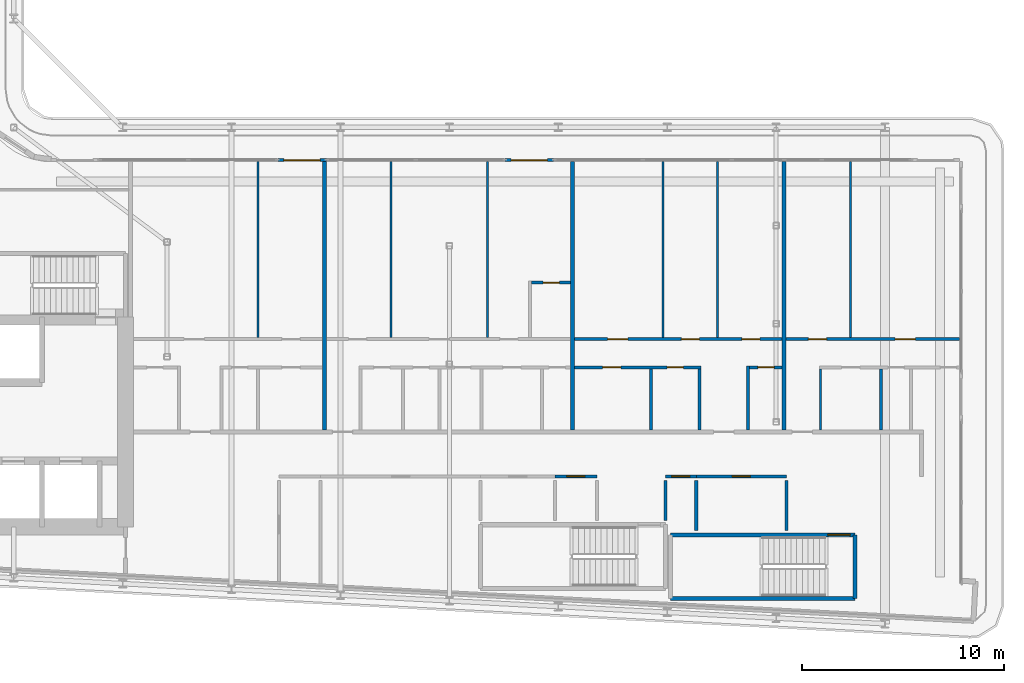
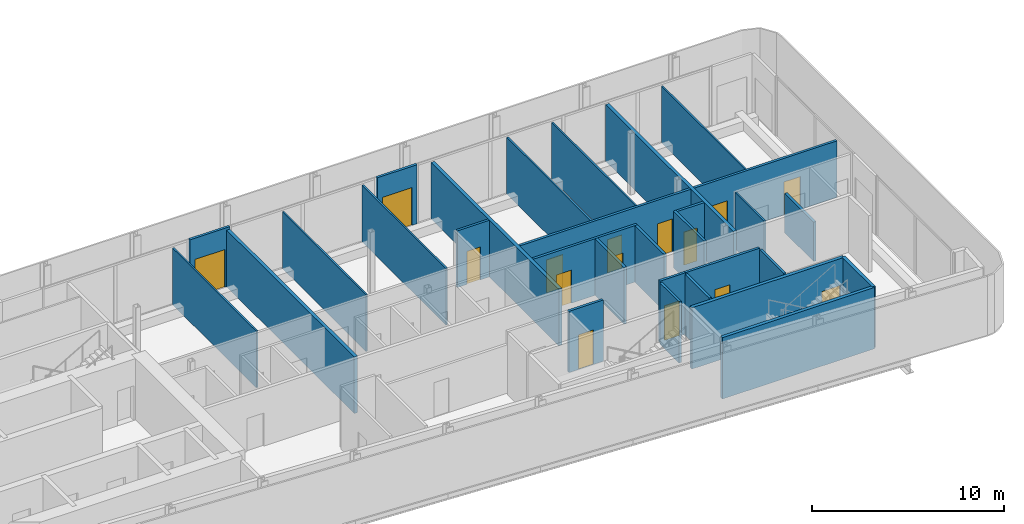
# One storey, part 17 of 29: 30 walls, 15 doors, 15 openings.
"""IFC4 building model written with IfcOpenShell, lengths in metres."""

from ifc_helpers import new_model, si_unit, direction, frame, frame_2d, origin, place, context, subcontext, project, spatial, rectangle, extrude, source, transform, mapped, material, layer, layer_set, type_object, element, fill, save


model = new_model("IFC4")

# Units and contexts
model_context = context("Model", 3, precision=1e-05, world=origin(), true_north=direction((0.0, 1.0)))
body_context = subcontext(model_context, "Body", "Model", "MODEL_VIEW")
ifc_project = project(units=[si_unit("LENGTHUNIT", "METRE"), si_unit("AREAUNIT", "SQUARE_METRE"), si_unit("VOLUMEUNIT", "CUBIC_METRE"), si_unit("PLANEANGLEUNIT", "RADIAN"), si_unit("MASSUNIT", "GRAM", prefix="KILO")], contexts=[model_context])

# Site, building, storey
site_placement = place(None, origin())
site = spatial("IfcSite", under=ifc_project, at=site_placement, CompositionType="ELEMENT")
building_placement = place(site_placement, origin())
building = spatial("IfcBuilding", under=site, at=building_placement, Name="Kheshtan School and Residences Tower", CompositionType="ELEMENT")
storey_placement = place(building_placement, frame((0.0, 0.0, 172.10009765625)))
storey = spatial("IfcBuildingStorey", under=building, at=storey_placement, Name="L40", CompositionType="ELEMENT", Elevation=172.10009765625)

# Wall, opening, door
ifc_material_1 = material(Name="Aluminium frame wall with insulated infill", Category="aluminium")
ifc_layer_1 = layer(ifc_material_1, 0.14990234375)
ifc_layer_set_1 = layer_set([ifc_layer_1], Name="Glazing frame wall 150")
wall_type_1 = type_object("IfcWallType", Name="Glazing frame wall 150", PredefinedType="SOLIDWALL", material=ifc_layer_set_1)
wall_1_placement = place(storey_placement, frame((60.697021484375, 43.97509765625, 0.0), z_axis=(0.0, 0.0, 1.0), x_axis=(1.0, 0.0, 0.0)))
wall_1 = element("IfcWall", 1, at=wall_1_placement, inside=storey, type_object=wall_type_1, Name="Balcony door wall L40 12.2", PredefinedType="SOLIDWALL", context=body_context, shape_type="SweptSolid", body=[
    extrude(rectangle(XDim=2.39990234375, YDim=0.14990234375, at=frame_2d((1.199951171875, 0.0))), origin(), (0.0, 0.0, 1.0), 3.75),
])
opening_1_placement = place(wall_1_placement, frame((0.300048828125, 0.0, 0.0)))
opening_1 = element("IfcOpeningElement", 2, at=opening_1_placement, cuts=wall_1, Name="Opening BD", PredefinedType="OPENING", context=body_context, shape_type="SweptSolid", body=[
    extrude(rectangle(XDim=1.800048828125, YDim=2.39990234375, at=frame_2d((0.89990234375, 1.199951171875))), frame((0.0, 0.0849609375, 0.0), z_axis=(0.0, -1.0, 0.0), x_axis=(1.0, 0.0, 0.0)), (0.0, 0.0, 1.0), 0.169921875),
])
ifc_material_2 = material(Name="Clear low-e glass in thermally broken aluminium frame", Category="aluminium")
door_type_1 = type_object("IfcDoorType", Name="Balcony sliding door", OperationType="SLIDING_TO_LEFT", PredefinedType="DOOR", material=ifc_material_2)
shared_shape_1 = source(origin(), body_context, "Body", "SweptSolid", [
    extrude(rectangle(XDim=1.800048828125, YDim=2.39990234375, at=frame_2d((0.89990234375, 1.199951171875))), frame((0.0, 0.02490234375, 0.0), z_axis=(0.0, -1.0, 0.0), x_axis=(1.0, 0.0, 0.0)), (0.0, 0.0, 1.0), 0.050048828125),
])
door_1_placement = place(opening_1_placement, origin())
door_1 = element("IfcDoor", 3, at=door_1_placement, inside=storey, type_object=door_type_1, Name="Balcony door L40 12.2", OperationType="SLIDING_TO_LEFT", OverallHeight=2.39990234375, OverallWidth=1.800048828125, PredefinedType="DOOR", context=body_context, shape_type="MappedRepresentation", body=[
    mapped(shared_shape_1, transform((0.0, 0.0, 0.0), x_axis=(1.0, 0.0, 0.0), y_axis=(0.0, 1.0, 0.0), z_axis=(0.0, 0.0, 1.0), scale=1.0)),
])
fill(opening_1, door_1)

wall_2_placement = place(storey_placement, frame((71.965087890625, 43.97509765625, 0.0), z_axis=(0.0, 0.0, 1.0), x_axis=(1.0, 0.0, 0.0)))
wall_2 = element("IfcWall", 4, at=wall_2_placement, inside=storey, type_object=wall_type_1, Name="Balcony door wall L40 12.3", PredefinedType="SOLIDWALL", context=body_context, shape_type="SweptSolid", body=[
    extrude(rectangle(XDim=2.39990234375, YDim=0.14990234375, at=frame_2d((1.199951171875, 0.0))), origin(), (0.0, 0.0, 1.0), 3.75),
])
opening_2_placement = place(wall_2_placement, frame((0.300048828125, 0.0, 0.0)))
opening_2 = element("IfcOpeningElement", 5, at=opening_2_placement, cuts=wall_2, Name="Opening BD", PredefinedType="OPENING", context=body_context, shape_type="SweptSolid", body=[
    extrude(rectangle(XDim=1.800048828125, YDim=2.39990234375, at=frame_2d((0.89990234375, 1.199951171875))), frame((0.0, 0.0849609375, 0.0), z_axis=(0.0, -1.0, 0.0), x_axis=(1.0, 0.0, 0.0)), (0.0, 0.0, 1.0), 0.169921875),
])
door_2_placement = place(opening_2_placement, origin())
door_2 = element("IfcDoor", 6, at=door_2_placement, inside=storey, type_object=door_type_1, Name="Balcony door L40 12.3", OperationType="SLIDING_TO_LEFT", OverallHeight=2.39990234375, OverallWidth=1.800048828125, PredefinedType="DOOR", context=body_context, shape_type="MappedRepresentation", body=[
    mapped(shared_shape_1, transform((0.0, 0.0, 0.0), x_axis=(1.0, 0.0, 0.0), y_axis=(0.0, 1.0, 0.0), z_axis=(0.0, 0.0, 1.0), scale=1.0)),
])
fill(opening_2, door_2)

# Walls
ifc_material_3 = material(Name="Gypsum board on steel studs", Category="steel")
ifc_layer_2 = layer(ifc_material_3, 0.10009765625)
ifc_layer_set_2 = layer_set([ifc_layer_2], Name="Gypsum partition 100")
wall_type_2 = type_object("IfcWallType", Name="Gypsum partition 100", PredefinedType="PARTITIONING", material=ifc_layer_set_2)
for number, where, z_axis, x_axis, name in (
    (7, (59.699951171875, 35.175048828125, 0.0), (0.0, 0.0, 1.0), (0.0, 1.0, 0.0), "Partition L40-044"),
    (8, (66.300048828125, 35.175048828125, 0.0), (0.0, 0.0, 1.0), (0.0, 1.0, 0.0), "Partition L40-049"),
    (9, (71.10009765625, 35.175048828125, 0.0), (0.0, 0.0, 1.0), (0.0, 1.0, 0.0), "Partition L40-053"),
    (10, (79.800048828125, 35.175048828125, 0.0), (0.0, 0.0, 1.0), (0.0, 1.0, 0.0), "Partition L40-061"),
    (11, (82.5, 35.175048828125, 0.0), (0.0, 0.0, 1.0), (0.0, 1.0, 0.0), "Partition L40-063"),
):
    element("IfcWall", number, at=place(storey_placement, frame(where, z_axis=z_axis, x_axis=x_axis)), inside=storey, type_object=wall_type_2, Name=name, PredefinedType="PARTITIONING", context=body_context, shape_type="SweptSolid", body=[
        extrude(rectangle(XDim=8.724853515625, YDim=0.10009765625, at=frame_2d((4.3623046875, 0.0))), origin(), (0.0, 0.0, 1.0), 3.599853515625),
    ])
wall_3_placement = place(storey_placement, frame((87.60009765625, 30.60009765625, 0.0), z_axis=(0.0, 0.0, 1.0), x_axis=(0.0, 1.0, 0.0)))
element("IfcWall", 12, at=wall_3_placement, inside=storey, type_object=wall_type_2, Name="Partition L40-069", PredefinedType="PARTITIONING", context=body_context, shape_type="SweptSolid", body=[
    extrude(rectangle(XDim=3.02490234375, YDim=0.10009765625, at=frame_2d((1.512451171875, 0.0))), origin(), (0.0, 0.0, 1.0), 3.599853515625),
])
wall_4_placement = place(storey_placement, frame((89.10009765625, 35.175048828125, 0.0), z_axis=(0.0, 0.0, 1.0), x_axis=(0.0, 1.0, 0.0)))
element("IfcWall", 13, at=wall_4_placement, inside=storey, type_object=wall_type_2, Name="Partition L40-070", PredefinedType="PARTITIONING", context=body_context, shape_type="SweptSolid", body=[
    extrude(rectangle(XDim=8.724853515625, YDim=0.10009765625, at=frame_2d((4.3623046875, 0.0))), origin(), (0.0, 0.0, 1.0), 3.599853515625),
])

# Wall, opening, door
ifc_material_4 = material(Name="Fire-board shaft wall system")
ifc_layer_3 = layer(ifc_material_4, 0.14990234375)
ifc_layer_set_3 = layer_set([ifc_layer_3], Name="Service room wall 150")
wall_type_3 = type_object("IfcWallType", Name="Service room wall 150", PredefinedType="PARTITIONING", material=ifc_layer_set_3)
wall_5_placement = place(storey_placement, frame((74.43603515625, 28.300048828125, 0.0), z_axis=(0.0, 0.0, 1.0), x_axis=(1.0, 0.0, 0.0)))
wall_5 = element("IfcWall", 14, at=wall_5_placement, inside=storey, type_object=wall_type_3, Name="Service room wall", PredefinedType="PARTITIONING", context=body_context, shape_type="SweptSolid", body=[
    extrude(rectangle(XDim=2.073974609375, YDim=0.14990234375, at=frame_2d((1.037109375, 0.0))), origin(), (0.0, 0.0, 1.0), 3.89990234375),
])
opening_3_placement = place(wall_5_placement, frame((0.5869140625, 0.0, 0.0)))
opening_3 = element("IfcOpeningElement", 15, at=opening_3_placement, cuts=wall_5, Name="Opening SR90", PredefinedType="OPENING", context=body_context, shape_type="SweptSolid", body=[
    extrude(rectangle(XDim=0.89990234375, YDim=2.199951171875, at=frame_2d((0.449951171875, 1.10009765625))), frame((0.0, 0.0849609375, 0.0), z_axis=(0.0, -1.0, 0.0), x_axis=(1.0, 0.0, 0.0)), (0.0, 0.0, 1.0), 0.169921875),
])
ifc_material_5 = material(Name="Steel door leaf, galvanised", Category="steel")
door_type_2 = type_object("IfcDoorType", Name="Service room door 900 steel 90 min", OperationType="SINGLE_SWING_LEFT", PredefinedType="DOOR", material=ifc_material_5)
shared_shape_2 = source(origin(), body_context, "Body", "SweptSolid", [
    extrude(rectangle(XDim=0.89990234375, YDim=2.199951171875, at=frame_2d((0.449951171875, 1.10009765625))), frame((0.0, 0.02490234375, 0.0), z_axis=(0.0, -1.0, 0.0), x_axis=(1.0, 0.0, 0.0)), (0.0, 0.0, 1.0), 0.050048828125),
])
door_3_placement = place(opening_3_placement, origin())
door_3 = element("IfcDoor", 16, at=door_3_placement, inside=storey, type_object=door_type_2, Name="Service room door", OperationType="SINGLE_SWING_LEFT", OverallHeight=2.199951171875, OverallWidth=0.89990234375, PredefinedType="DOOR", context=body_context, shape_type="MappedRepresentation", body=[
    mapped(shared_shape_2, transform((0.0, 0.0, 0.0), x_axis=(1.0, 0.0, 0.0), y_axis=(0.0, 1.0, 0.0), z_axis=(0.0, 0.0, 1.0), scale=1.0)),
])
fill(opening_3, door_3)

wall_6_placement = place(storey_placement, frame((79.909912109375, 28.300048828125, 0.0), z_axis=(0.0, 0.0, 1.0), x_axis=(1.0, 0.0, 0.0)))
wall_6 = element("IfcWall", 17, at=wall_6_placement, inside=storey, type_object=wall_type_3, Name="Service room wall", PredefinedType="PARTITIONING", context=body_context, shape_type="SweptSolid", body=[
    extrude(rectangle(XDim=1.531005859375, YDim=0.14990234375, at=frame_2d((0.765625, 0.0))), origin(), (0.0, 0.0, 1.0), 3.89990234375),
])
opening_4_placement = place(wall_6_placement, frame((0.31591796875, 0.0, 0.0)))
opening_4 = element("IfcOpeningElement", 18, at=opening_4_placement, cuts=wall_6, Name="Opening SR90", PredefinedType="OPENING", context=body_context, shape_type="SweptSolid", body=[
    extrude(rectangle(XDim=0.89990234375, YDim=2.199951171875, at=frame_2d((0.449951171875, 1.10009765625))), frame((0.0, 0.0849609375, 0.0), z_axis=(0.0, -1.0, 0.0), x_axis=(1.0, 0.0, 0.0)), (0.0, 0.0, 1.0), 0.169921875),
])
door_4_placement = place(opening_4_placement, origin())
door_4 = element("IfcDoor", 19, at=door_4_placement, inside=storey, type_object=door_type_2, Name="Service room door", OperationType="SINGLE_SWING_RIGHT", OverallHeight=2.199951171875, OverallWidth=0.89990234375, PredefinedType="DOOR", context=body_context, shape_type="MappedRepresentation", body=[
    mapped(shared_shape_2, transform((0.0, 0.0, 0.0), x_axis=(1.0, 0.0, 0.0), y_axis=(0.0, 1.0, 0.0), z_axis=(0.0, 0.0, 1.0), scale=1.0)),
])
fill(opening_4, door_4)

# Walls
wall_7_placement = place(storey_placement, frame((79.909912109375, 26.1201171875, 0.0), z_axis=(0.0, 0.0, 1.0), x_axis=(0.0, 1.0, 0.0)))
element("IfcWall", 20, at=wall_7_placement, inside=storey, type_object=wall_type_3, Name="Service room wall", PredefinedType="PARTITIONING", context=body_context, shape_type="SweptSolid", body=[
    extrude(rectangle(XDim=1.98486328125, YDim=0.14990234375, at=frame_2d((0.992431640625, 0.0))), origin(), (0.0, 0.0, 1.0), 3.89990234375),
])
wall_8_placement = place(storey_placement, frame((81.44091796875, 25.6201171875, 0.0), z_axis=(0.0, 0.0, 1.0), x_axis=(0.0, 1.0, 0.0)))
element("IfcWall", 21, at=wall_8_placement, inside=storey, type_object=wall_type_3, Name="Service room wall", PredefinedType="PARTITIONING", context=body_context, shape_type="SweptSolid", body=[
    extrude(rectangle(XDim=2.48486328125, YDim=0.14990234375, at=frame_2d((1.242431640625, 0.0))), origin(), (0.0, 0.0, 1.0), 3.89990234375),
])

# Wall, opening, door
wall_9_placement = place(storey_placement, frame((81.44091796875, 28.300048828125, 0.0), z_axis=(0.0, 0.0, 1.0), x_axis=(1.0, 0.0, 0.0)))
wall_9 = element("IfcWall", 22, at=wall_9_placement, inside=storey, type_object=wall_type_3, Name="Service room wall", PredefinedType="PARTITIONING", context=body_context, shape_type="SweptSolid", body=[
    extrude(rectangle(XDim=4.47900390625, YDim=0.14990234375, at=frame_2d((2.239501953125, 0.0))), origin(), (0.0, 0.0, 1.0), 3.89990234375),
])
opening_5_placement = place(wall_9_placement, frame((1.7890625, 0.0, 0.0)))
opening_5 = element("IfcOpeningElement", 23, at=opening_5_placement, cuts=wall_9, Name="Opening SR90", PredefinedType="OPENING", context=body_context, shape_type="SweptSolid", body=[
    extrude(rectangle(XDim=0.89990234375, YDim=2.199951171875, at=frame_2d((0.449951171875, 1.10009765625))), frame((0.0, 0.0849609375, 0.0), z_axis=(0.0, -1.0, 0.0), x_axis=(1.0, 0.0, 0.0)), (0.0, 0.0, 1.0), 0.169921875),
])
door_5_placement = place(opening_5_placement, origin())
door_5 = element("IfcDoor", 24, at=door_5_placement, inside=storey, type_object=door_type_2, Name="Service room door", OperationType="SINGLE_SWING_LEFT", OverallHeight=2.199951171875, OverallWidth=0.89990234375, PredefinedType="DOOR", context=body_context, shape_type="MappedRepresentation", body=[
    mapped(shared_shape_2, transform((0.0, 0.0, 0.0), x_axis=(1.0, 0.0, 0.0), y_axis=(0.0, 1.0, 0.0), z_axis=(0.0, 0.0, 1.0), scale=1.0)),
])
fill(opening_5, door_5)

# Walls
wall_10_placement = place(storey_placement, frame((85.919921875, 25.6201171875, 0.0), z_axis=(0.0, 0.0, 1.0), x_axis=(0.0, 1.0, 0.0)))
element("IfcWall", 25, at=wall_10_placement, inside=storey, type_object=wall_type_3, Name="Service room wall", PredefinedType="PARTITIONING", context=body_context, shape_type="SweptSolid", body=[
    extrude(rectangle(XDim=2.48486328125, YDim=0.14990234375, at=frame_2d((1.242431640625, 0.0))), origin(), (0.0, 0.0, 1.0), 3.89990234375),
])
ifc_material_6 = material(Name="Concrete C40/50", Category="concrete")
ifc_layer_4 = layer(ifc_material_6, 0.199951171875)
ifc_layer_set_4 = layer_set([ifc_layer_4], Name="Stair enclosure wall 200 Concrete C40/50")
wall_type_4 = type_object("IfcWallType", Name="Stair enclosure wall 200 Concrete C40/50", PredefinedType="SHEAR", material=ifc_layer_set_4)
wall_11_placement = place(storey_placement, frame((80.159912109375, 22.25, 0.0), z_axis=(0.0, 0.0, 1.0), x_axis=(1.0, 0.0, 0.0)))
element("IfcWall", 26, at=wall_11_placement, inside=storey, type_object=wall_type_4, Name="Stair enclosure wall ST4", PredefinedType="SHEAR", context=body_context, shape_type="SweptSolid", body=[
    extrude(rectangle(XDim=9.16015625, YDim=0.199951171875, at=frame_2d((4.580078125, 0.0))), origin(), (0.0, 0.0, 1.0), 3.89990234375),
])

# Wall, opening, door
wall_12_placement = place(storey_placement, frame((80.159912109375, 25.39990234375, 0.0), z_axis=(0.0, 0.0, 1.0), x_axis=(1.0, 0.0, 0.0)))
wall_12 = element("IfcWall", 27, at=wall_12_placement, inside=storey, type_object=wall_type_4, Name="Stair enclosure wall ST4", PredefinedType="SHEAR", context=body_context, shape_type="SweptSolid", body=[
    extrude(rectangle(XDim=9.16015625, YDim=0.199951171875, at=frame_2d((4.580078125, 0.0))), origin(), (0.0, 0.0, 1.0), 3.89990234375),
])
opening_6_placement = place(wall_12_placement, frame((7.81005859375, 0.0, 0.0)))
opening_6 = element("IfcOpeningElement", 28, at=opening_6_placement, cuts=wall_12, Name="Opening ST4D", PredefinedType="OPENING", context=body_context, shape_type="SweptSolid", body=[
    extrude(rectangle(XDim=1.10009765625, YDim=2.199951171875, at=frame_2d((0.550048828125, 1.10009765625))), frame((0.0, 0.10986328125, 0.0), z_axis=(0.0, -1.0, 0.0), x_axis=(1.0, 0.0, 0.0)), (0.0, 0.0, 1.0), 0.219970703125),
])
door_type_3 = type_object("IfcDoorType", Name="Stair door 1100 steel 90 min", OperationType="SINGLE_SWING_LEFT", PredefinedType="DOOR", material=ifc_material_5)
shared_shape_3 = source(origin(), body_context, "Body", "SweptSolid", [
    extrude(rectangle(XDim=1.10009765625, YDim=2.199951171875, at=frame_2d((0.550048828125, 1.10009765625))), frame((0.0, 0.02490234375, 0.0), z_axis=(0.0, -1.0, 0.0), x_axis=(1.0, 0.0, 0.0)), (0.0, 0.0, 1.0), 0.050048828125),
])
door_6_placement = place(opening_6_placement, origin())
door_6 = element("IfcDoor", 29, at=door_6_placement, inside=storey, type_object=door_type_3, Name="Stair ST4 door", OperationType="SINGLE_SWING_LEFT", OverallHeight=2.199951171875, OverallWidth=1.10009765625, PredefinedType="DOOR", context=body_context, shape_type="MappedRepresentation", body=[
    mapped(shared_shape_3, transform((0.0, 0.0, 0.0), x_axis=(1.0, 0.0, 0.0), y_axis=(0.0, 1.0, 0.0), z_axis=(0.0, 0.0, 1.0), scale=1.0)),
])
fill(opening_6, door_6)

# Walls
wall_13_placement = place(storey_placement, frame((89.320068359375, 22.25, 0.0), z_axis=(0.0, 0.0, 1.0), x_axis=(0.0, 1.0, 0.0)))
element("IfcWall", 30, at=wall_13_placement, inside=storey, type_object=wall_type_4, Name="Stair enclosure wall ST4", PredefinedType="SHEAR", context=body_context, shape_type="SweptSolid", body=[
    extrude(rectangle(XDim=3.14990234375, YDim=0.199951171875, at=frame_2d((1.574951171875, 0.0))), origin(), (0.0, 0.0, 1.0), 3.89990234375),
])
ifc_material_7 = material(Name="Twin gypsum board on steel studs with mineral wool", Category="steel")
ifc_layer_5 = layer(ifc_material_7, 0.199951171875)
ifc_layer_set_5 = layer_set([ifc_layer_5], Name="Unit demising wall 200")
wall_type_5 = type_object("IfcWallType", Name="Unit demising wall 200", PredefinedType="PARTITIONING", material=ifc_layer_set_5)
for number, where, z_axis, x_axis, name in (
    (31, (63.0, 30.60009765625, 0.0), (0.0, 0.0, 1.0), (0.0, 1.0, 0.0), "Partition L40-045"),
    (32, (75.300048828125, 30.60009765625, 0.0), (0.0, 0.0, 1.0), (0.0, 1.0, 0.0), "Partition L40-057"),
    (33, (85.800048828125, 30.60009765625, 0.0), (0.0, 0.0, 1.0), (0.0, 1.0, 0.0), "Partition L40-066"),
):
    element("IfcWall", number, at=place(storey_placement, frame(where, z_axis=z_axis, x_axis=x_axis)), inside=storey, type_object=wall_type_5, Name=name, PredefinedType="PARTITIONING", context=body_context, shape_type="SweptSolid", body=[
        extrude(rectangle(XDim=13.2998046875, YDim=0.199951171875, at=frame_2d((6.64990234375, 0.0))), origin(), (0.0, 0.0, 1.0), 3.599853515625),
    ])

# Wall, opening, door
ifc_material_8 = material(Name="Moisture-resistant gypsum board on steel studs", Category="steel")
ifc_layer_6 = layer(ifc_material_8, 0.14990234375)
ifc_layer_set_6 = layer_set([ifc_layer_6], Name="Wet-room partition 150")
wall_type_6 = type_object("IfcWallType", Name="Wet-room partition 150", PredefinedType="PARTITIONING", material=ifc_layer_set_6)
wall_14_placement = place(storey_placement, frame((73.27490234375, 37.89990234375, 0.0), z_axis=(0.0, 0.0, 1.0), x_axis=(1.0, 0.0, 0.0)))
wall_14 = element("IfcWall", 34, at=wall_14_placement, inside=storey, type_object=wall_type_6, Name="Partition L40-055", PredefinedType="PARTITIONING", context=body_context, shape_type="SweptSolid", body=[
    extrude(rectangle(XDim=1.925048828125, YDim=0.14990234375, at=frame_2d((0.96240234375, 0.0))), origin(), (0.0, 0.0, 1.0), 3.599853515625),
])
opening_7_placement = place(wall_14_placement, frame((0.574951171875, 0.0, 0.0)))
opening_7 = element("IfcOpeningElement", 35, at=opening_7_placement, cuts=wall_14, Name="Opening D39-009", PredefinedType="OPENING", context=body_context, shape_type="SweptSolid", body=[
    extrude(rectangle(XDim=0.800048828125, YDim=2.10009765625, at=frame_2d((0.39990234375, 1.050048828125))), frame((0.0, 0.0849609375, 0.0), z_axis=(0.0, -1.0, 0.0), x_axis=(1.0, 0.0, 0.0)), (0.0, 0.0, 1.0), 0.169921875),
])
ifc_material_9 = material(Name="Veneered timber door leaf", Category="wood")
door_type_4 = type_object("IfcDoorType", Name="Door 800 x 2100", OperationType="SINGLE_SWING_LEFT", PredefinedType="DOOR", material=ifc_material_9)
shared_shape_4 = source(origin(), body_context, "Body", "SweptSolid", [
    extrude(rectangle(XDim=0.800048828125, YDim=2.10009765625, at=frame_2d((0.39990234375, 1.050048828125))), frame((0.0, 0.02490234375, 0.0), z_axis=(0.0, -1.0, 0.0), x_axis=(1.0, 0.0, 0.0)), (0.0, 0.0, 1.0), 0.050048828125),
])
door_7_placement = place(opening_7_placement, origin())
door_7 = element("IfcDoor", 36, at=door_7_placement, inside=storey, type_object=door_type_4, Name="Door D39-009", OperationType="SINGLE_SWING_LEFT", OverallHeight=2.10009765625, OverallWidth=0.800048828125, PredefinedType="DOOR", context=body_context, shape_type="MappedRepresentation", body=[
    mapped(shared_shape_4, transform((0.0, 0.0, 0.0), x_axis=(1.0, 0.0, 0.0), y_axis=(0.0, 1.0, 0.0), z_axis=(0.0, 0.0, 1.0), scale=1.0)),
])
fill(opening_7, door_7)

# Wall, openings, doors
wall_15_placement = place(storey_placement, frame((75.39990234375, 33.699951171875, 0.0), z_axis=(0.0, 0.0, 1.0), x_axis=(1.0, 0.0, 0.0)))
wall_15 = element("IfcWall", 37, at=wall_15_placement, inside=storey, type_object=wall_type_6, Name="Partition L40-058", PredefinedType="PARTITIONING", context=body_context, shape_type="SweptSolid", body=[
    extrude(rectangle(XDim=6.275146484375, YDim=0.14990234375, at=frame_2d((3.1376953125, 0.0))), origin(), (0.0, 0.0, 1.0), 3.599853515625),
])
opening_8_placement = place(wall_15_placement, frame((4.60009765625, 0.0, 0.0)))
opening_8 = element("IfcOpeningElement", 38, at=opening_8_placement, cuts=wall_15, Name="Opening D39-017", PredefinedType="OPENING", context=body_context, shape_type="SweptSolid", body=[
    extrude(rectangle(XDim=0.800048828125, YDim=2.10009765625, at=frame_2d((0.39990234375, 1.050048828125))), frame((0.0, 0.0849609375, 0.0), z_axis=(0.0, -1.0, 0.0), x_axis=(1.0, 0.0, 0.0)), (0.0, 0.0, 1.0), 0.169921875),
])
opening_9_placement = place(wall_15_placement, frame((1.39990234375, 0.0, 0.0)))
opening_9 = element("IfcOpeningElement", 39, at=opening_9_placement, cuts=wall_15, Name="Opening D39-020", PredefinedType="OPENING", context=body_context, shape_type="SweptSolid", body=[
    extrude(rectangle(XDim=0.89990234375, YDim=2.10009765625, at=frame_2d((0.449951171875, 1.050048828125))), frame((0.0, 0.0849609375, 0.0), z_axis=(0.0, -1.0, 0.0), x_axis=(1.0, 0.0, 0.0)), (0.0, 0.0, 1.0), 0.169921875),
])
door_8_placement = place(opening_8_placement, origin())
door_8 = element("IfcDoor", 40, at=door_8_placement, inside=storey, type_object=door_type_4, Name="Door D39-017", OperationType="SINGLE_SWING_LEFT", OverallHeight=2.10009765625, OverallWidth=0.800048828125, PredefinedType="DOOR", context=body_context, shape_type="MappedRepresentation", body=[
    mapped(shared_shape_4, transform((0.0, 0.0, 0.0), x_axis=(1.0, 0.0, 0.0), y_axis=(0.0, 1.0, 0.0), z_axis=(0.0, 0.0, 1.0), scale=1.0)),
])
fill(opening_8, door_8)
door_type_5 = type_object("IfcDoorType", Name="Door 900 x 2100", OperationType="SINGLE_SWING_LEFT", PredefinedType="DOOR", material=ifc_material_9)
shared_shape_5 = source(origin(), body_context, "Body", "SweptSolid", [
    extrude(rectangle(XDim=0.89990234375, YDim=2.10009765625, at=frame_2d((0.449951171875, 1.050048828125))), frame((0.0, 0.02490234375, 0.0), z_axis=(0.0, -1.0, 0.0), x_axis=(1.0, 0.0, 0.0)), (0.0, 0.0, 1.0), 0.050048828125),
])
door_9_placement = place(opening_9_placement, origin())
door_9 = element("IfcDoor", 41, at=door_9_placement, inside=storey, type_object=door_type_5, Name="Door D39-020", OperationType="SINGLE_SWING_LEFT", OverallHeight=2.10009765625, OverallWidth=0.89990234375, PredefinedType="DOOR", context=body_context, shape_type="MappedRepresentation", body=[
    mapped(shared_shape_5, transform((0.0, 0.0, 0.0), x_axis=(1.0, 0.0, 0.0), y_axis=(0.0, 1.0, 0.0), z_axis=(0.0, 0.0, 1.0), scale=1.0)),
])
fill(opening_9, door_9)

wall_16_placement = place(storey_placement, frame((75.39990234375, 35.10009765625, 0.0), z_axis=(0.0, 0.0, 1.0), x_axis=(1.0, 0.0, 0.0)))
wall_16 = element("IfcWall", 42, at=wall_16_placement, inside=storey, type_object=wall_type_6, Name="Partition L40-059", PredefinedType="PARTITIONING", context=body_context, shape_type="SweptSolid", body=[
    extrude(rectangle(XDim=10.300048828125, YDim=0.14990234375, at=frame_2d((5.14990234375, 0.0))), origin(), (0.0, 0.0, 1.0), 3.599853515625),
])
opening_10_placement = place(wall_16_placement, frame((5.300048828125, 0.0, 0.0)))
opening_10 = element("IfcOpeningElement", 43, at=opening_10_placement, cuts=wall_16, Name="Opening D39-018", PredefinedType="OPENING", context=body_context, shape_type="SweptSolid", body=[
    extrude(rectangle(XDim=0.89990234375, YDim=2.10009765625, at=frame_2d((0.449951171875, 1.050048828125))), frame((0.0, 0.0849609375, 0.0), z_axis=(0.0, -1.0, 0.0), x_axis=(1.0, 0.0, 0.0)), (0.0, 0.0, 1.0), 0.169921875),
])
opening_11_placement = place(wall_16_placement, frame((1.64990234375, 0.0, 0.0)))
opening_11 = element("IfcOpeningElement", 44, at=opening_11_placement, cuts=wall_16, Name="Opening D39-021", PredefinedType="OPENING", context=body_context, shape_type="SweptSolid", body=[
    extrude(rectangle(XDim=1.0, YDim=2.10009765625, at=frame_2d((0.5, 1.050048828125))), frame((0.0, 0.0849609375, 0.0), z_axis=(0.0, -1.0, 0.0), x_axis=(1.0, 0.0, 0.0)), (0.0, 0.0, 1.0), 0.169921875),
])
opening_12_placement = place(wall_16_placement, frame((8.300048828125, 0.0, 0.0)))
opening_12 = element("IfcOpeningElement", 45, at=opening_12_placement, cuts=wall_16, Name="Opening D39-022", PredefinedType="OPENING", context=body_context, shape_type="SweptSolid", body=[
    extrude(rectangle(XDim=0.89990234375, YDim=2.10009765625, at=frame_2d((0.449951171875, 1.050048828125))), frame((0.0, 0.0849609375, 0.0), z_axis=(0.0, -1.0, 0.0), x_axis=(1.0, 0.0, 0.0)), (0.0, 0.0, 1.0), 0.169921875),
])
door_type_6 = type_object("IfcDoorType", Name="Door 1000 x 2100", OperationType="SINGLE_SWING_LEFT", PredefinedType="DOOR", material=ifc_material_9)
shared_shape_6 = source(origin(), body_context, "Body", "SweptSolid", [
    extrude(rectangle(XDim=1.0, YDim=2.10009765625, at=frame_2d((0.5, 1.050048828125))), frame((0.0, 0.02490234375, 0.0), z_axis=(0.0, -1.0, 0.0), x_axis=(1.0, 0.0, 0.0)), (0.0, 0.0, 1.0), 0.050048828125),
])
door_10_placement = place(opening_11_placement, origin())
door_10 = element("IfcDoor", 46, at=door_10_placement, inside=storey, type_object=door_type_6, Name="Door D39-021", OperationType="SINGLE_SWING_LEFT", OverallHeight=2.10009765625, OverallWidth=1.0, PredefinedType="DOOR", context=body_context, shape_type="MappedRepresentation", body=[
    mapped(shared_shape_6, transform((0.0, 0.0, 0.0), x_axis=(1.0, 0.0, 0.0), y_axis=(0.0, 1.0, 0.0), z_axis=(0.0, 0.0, 1.0), scale=1.0)),
])
fill(opening_11, door_10)
door_11_placement = place(opening_10_placement, origin())
door_11 = element("IfcDoor", 47, at=door_11_placement, inside=storey, type_object=door_type_5, Name="Door D39-018", OperationType="SINGLE_SWING_RIGHT", OverallHeight=2.10009765625, OverallWidth=0.89990234375, PredefinedType="DOOR", context=body_context, shape_type="MappedRepresentation", body=[
    mapped(shared_shape_5, transform((0.0, 0.0, 0.0), x_axis=(1.0, 0.0, 0.0), y_axis=(0.0, 1.0, 0.0), z_axis=(0.0, 0.0, 1.0), scale=1.0)),
])
fill(opening_10, door_11)
door_12_placement = place(opening_12_placement, origin())
door_12 = element("IfcDoor", 48, at=door_12_placement, inside=storey, type_object=door_type_5, Name="Door D39-022", OperationType="SINGLE_SWING_LEFT", OverallHeight=2.10009765625, OverallWidth=0.89990234375, PredefinedType="DOOR", context=body_context, shape_type="MappedRepresentation", body=[
    mapped(shared_shape_5, transform((0.0, 0.0, 0.0), x_axis=(1.0, 0.0, 0.0), y_axis=(0.0, 1.0, 0.0), z_axis=(0.0, 0.0, 1.0), scale=1.0)),
])
fill(opening_12, door_12)

# Walls
for number, where, z_axis, x_axis, name in (
    (49, (79.199951171875, 30.60009765625, 0.0), (0.0, 0.0, 1.0), (0.0, 1.0, 0.0), "Partition L40-060"),
    (50, (81.60009765625, 30.60009765625, 0.0), (0.0, 0.0, 1.0), (0.0, 1.0, 0.0), "Partition L40-062"),
):
    element("IfcWall", number, at=place(storey_placement, frame(where, z_axis=z_axis, x_axis=x_axis)), inside=storey, type_object=wall_type_6, Name=name, PredefinedType="PARTITIONING", context=body_context, shape_type="SweptSolid", body=[
        extrude(rectangle(XDim=3.02490234375, YDim=0.14990234375, at=frame_2d((1.512451171875, 0.0))), origin(), (0.0, 0.0, 1.0), 3.599853515625),
    ])
wall_17_placement = place(storey_placement, frame((84.0, 30.60009765625, 0.0), z_axis=(0.0, 0.0, 1.0), x_axis=(0.0, 1.0, 0.0)))
element("IfcWall", 51, at=wall_17_placement, inside=storey, type_object=wall_type_6, Name="Partition L40-064", PredefinedType="PARTITIONING", context=body_context, shape_type="SweptSolid", body=[
    extrude(rectangle(XDim=3.1748046875, YDim=0.14990234375, at=frame_2d((1.58740234375, 0.0))), origin(), (0.0, 0.0, 1.0), 3.599853515625),
])

# Wall, opening, door
wall_18_placement = place(storey_placement, frame((84.074951171875, 33.699951171875, 0.0), z_axis=(0.0, 0.0, 1.0), x_axis=(1.0, 0.0, 0.0)))
wall_18 = element("IfcWall", 52, at=wall_18_placement, inside=storey, type_object=wall_type_6, Name="Partition L40-065", PredefinedType="PARTITIONING", context=body_context, shape_type="SweptSolid", body=[
    extrude(rectangle(XDim=1.625, YDim=0.14990234375, at=frame_2d((0.8125, 0.0))), origin(), (0.0, 0.0, 1.0), 3.599853515625),
])
opening_13_placement = place(wall_18_placement, frame((0.425048828125, 0.0, 0.0)))
opening_13 = element("IfcOpeningElement", 53, at=opening_13_placement, cuts=wall_18, Name="Opening D39-023", PredefinedType="OPENING", context=body_context, shape_type="SweptSolid", body=[
    extrude(rectangle(XDim=0.800048828125, YDim=2.10009765625, at=frame_2d((0.39990234375, 1.050048828125))), frame((0.0, 0.0849609375, 0.0), z_axis=(0.0, -1.0, 0.0), x_axis=(1.0, 0.0, 0.0)), (0.0, 0.0, 1.0), 0.169921875),
])
door_13_placement = place(opening_13_placement, origin())
door_13 = element("IfcDoor", 54, at=door_13_placement, inside=storey, type_object=door_type_4, Name="Door D39-023", OperationType="SINGLE_SWING_LEFT", OverallHeight=2.10009765625, OverallWidth=0.800048828125, PredefinedType="DOOR", context=body_context, shape_type="MappedRepresentation", body=[
    mapped(shared_shape_4, transform((0.0, 0.0, 0.0), x_axis=(1.0, 0.0, 0.0), y_axis=(0.0, 1.0, 0.0), z_axis=(0.0, 0.0, 1.0), scale=1.0)),
])
fill(opening_13, door_13)

# Wall, openings, doors
wall_19_placement = place(storey_placement, frame((85.89990234375, 35.10009765625, 0.0), z_axis=(0.0, 0.0, 1.0), x_axis=(1.0, 0.0, 0.0)))
wall_19 = element("IfcWall", 55, at=wall_19_placement, inside=storey, type_object=wall_type_6, Name="Partition L40-067", PredefinedType="PARTITIONING", context=body_context, shape_type="SweptSolid", body=[
    extrude(rectangle(XDim=8.60009765625, YDim=0.14990234375, at=frame_2d((4.300048828125, 0.0))), origin(), (0.0, 0.0, 1.0), 3.599853515625),
])
opening_14_placement = place(wall_19_placement, frame((1.10009765625, 0.0, 0.0)))
opening_14 = element("IfcOpeningElement", 56, at=opening_14_placement, cuts=wall_19, Name="Opening D39-025", PredefinedType="OPENING", context=body_context, shape_type="SweptSolid", body=[
    extrude(rectangle(XDim=0.89990234375, YDim=2.10009765625, at=frame_2d((0.449951171875, 1.050048828125))), frame((0.0, 0.0849609375, 0.0), z_axis=(0.0, -1.0, 0.0), x_axis=(1.0, 0.0, 0.0)), (0.0, 0.0, 1.0), 0.169921875),
])
opening_15_placement = place(wall_19_placement, frame((5.39990234375, 0.0, 0.0)))
opening_15 = element("IfcOpeningElement", 57, at=opening_15_placement, cuts=wall_19, Name="Opening D39-028", PredefinedType="OPENING", context=body_context, shape_type="SweptSolid", body=[
    extrude(rectangle(XDim=1.0, YDim=2.10009765625, at=frame_2d((0.5, 1.050048828125))), frame((0.0, 0.0849609375, 0.0), z_axis=(0.0, -1.0, 0.0), x_axis=(1.0, 0.0, 0.0)), (0.0, 0.0, 1.0), 0.169921875),
])
door_14_placement = place(opening_15_placement, origin())
door_14 = element("IfcDoor", 58, at=door_14_placement, inside=storey, type_object=door_type_6, Name="Door D39-028", OperationType="SINGLE_SWING_LEFT", OverallHeight=2.10009765625, OverallWidth=1.0, PredefinedType="DOOR", context=body_context, shape_type="MappedRepresentation", body=[
    mapped(shared_shape_6, transform((0.0, 0.0, 0.0), x_axis=(1.0, 0.0, 0.0), y_axis=(0.0, 1.0, 0.0), z_axis=(0.0, 0.0, 1.0), scale=1.0)),
])
fill(opening_15, door_14)
door_15_placement = place(opening_14_placement, origin())
door_15 = element("IfcDoor", 59, at=door_15_placement, inside=storey, type_object=door_type_5, Name="Door D39-025", OperationType="SINGLE_SWING_RIGHT", OverallHeight=2.10009765625, OverallWidth=0.89990234375, PredefinedType="DOOR", context=body_context, shape_type="MappedRepresentation", body=[
    mapped(shared_shape_5, transform((0.0, 0.0, 0.0), x_axis=(1.0, 0.0, 0.0), y_axis=(0.0, 1.0, 0.0), z_axis=(0.0, 0.0, 1.0), scale=1.0)),
])
fill(opening_14, door_15)

# Wall
wall_20_placement = place(storey_placement, frame((90.60009765625, 30.60009765625, 0.0), z_axis=(0.0, 0.0, 1.0), x_axis=(0.0, 1.0, 0.0)))
element("IfcWall", 60, at=wall_20_placement, inside=storey, type_object=wall_type_6, Name="Partition L40-071", PredefinedType="PARTITIONING", context=body_context, shape_type="SweptSolid", body=[
    extrude(rectangle(XDim=3.02490234375, YDim=0.14990234375, at=frame_2d((1.512451171875, 0.0))), origin(), (0.0, 0.0, 1.0), 2.5),
])

save(model, "model.ifc")
